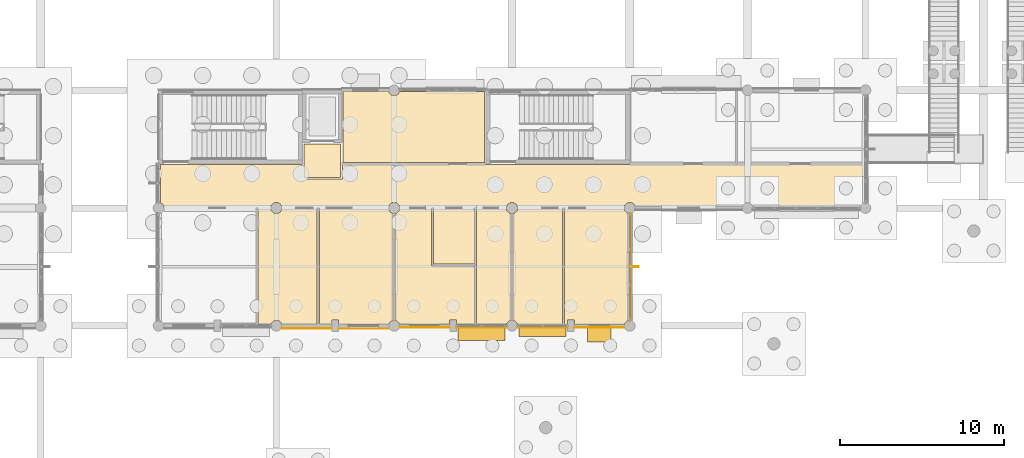
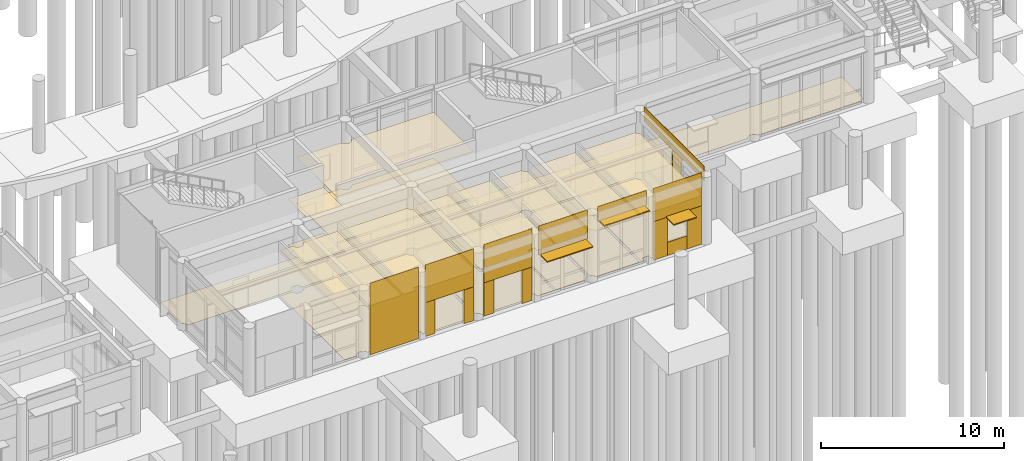
# One storey, part 84 of 103: 33 coverings, 4 shading devices.
"""IFC4 building model written with IfcOpenShell, lengths in metres."""

from ifc_helpers import new_model, si_unit, direction, frame, origin, origin_2d, place, context, subcontext, project, spatial, polyline, rectangle, outline, extrude, material, layer, layer_set, type_object, element, save


model = new_model("IFC4")

# Units and contexts
model_context = context("Model", 3, precision=1e-05, world=origin(), true_north=direction((0.0, 1.0)))
body_context = subcontext(model_context, "Body", "Model", "MODEL_VIEW")
ifc_project = project(units=[si_unit("LENGTHUNIT", "METRE"), si_unit("AREAUNIT", "SQUARE_METRE"), si_unit("VOLUMEUNIT", "CUBIC_METRE"), si_unit("PLANEANGLEUNIT", "RADIAN"), si_unit("MASSUNIT", "GRAM", prefix="KILO")], contexts=[model_context])

# Site, building, storey
site_placement = place(None, origin())
site = spatial("IfcSite", under=ifc_project, at=site_placement, CompositionType="ELEMENT")
building_placement = place(site_placement, origin())
building = spatial("IfcBuilding", under=site, at=building_placement, Name="Namkhue Oval Health Centre", CompositionType="ELEMENT")
storey_placement = place(building_placement, origin())
storey = spatial("IfcBuildingStorey", under=building, at=storey_placement, Name="L00", CompositionType="ELEMENT", Elevation=0.0)

# Coverings
ifc_material_1 = material(Name="Acoustic mineral-fibre cleanroom ceiling", Category="gypsum")
ifc_layer_1 = layer(ifc_material_1, 0.02001953125)
ifc_layer_set_1 = layer_set([ifc_layer_1], Name="Acoustic mineral-fibre cleanroom ceiling")
covering_type_1 = type_object("IfcCoveringType", Name="ACOUSTIC CLEANROOM CEILING 20", PredefinedType="CEILING", material=ifc_layer_set_1)
covering_1_placement = place(storey_placement, frame((0.0, 0.0, 3.050048828125)))
element("IfcCovering", 1, at=covering_1_placement, inside=storey, type_object=covering_type_1, Name="Acoustic Ceiling L00-LL6 Lift Lobby LF-06", PredefinedType="CEILING", context=body_context, shape_type="SweptSolid", body=[
    extrude(outline(polyline([(102.47998046875, 23.47998046875), (102.47998046875, 25.52001953125), (104.719970703125, 25.52001953125), (104.719970703125, 23.47998046875), (102.47998046875, 23.47998046875)])), origin(), (0.0, 0.0, 1.0), 0.02001953125),
])
covering_2_placement = place(storey_placement, frame((0.0, 0.0, 3.050048828125)))
element("IfcCovering", 2, at=covering_2_placement, inside=storey, type_object=covering_type_1, Name="Acoustic Ceiling L00-502 Dental Sterilisation CSSD", PredefinedType="CEILING", context=body_context, shape_type="SweptSolid", body=[
    extrude(outline(polyline([(101.123779296875, 14.485107421875), (101.090087890625, 14.5673828125), (101.036865234375, 14.636962890625), (100.967529296875, 14.690185546875), (100.88671875, 14.7236328125), (100.800048828125, 14.735107421875), (100.71337890625, 14.7236328125), (100.632568359375, 14.690185546875), (100.56298828125, 14.636962890625), (100.510009765625, 14.5673828125), (100.476318359375, 14.485107421875), (99.68701171875, 14.485107421875), (99.68701171875, 21.52001953125), (100.4755859375, 21.52001953125), (100.510009765625, 21.4326171875), (100.56298828125, 21.363037109375), (100.632568359375, 21.309814453125), (100.71337890625, 21.2763671875), (100.800048828125, 21.264892578125), (100.88671875, 21.2763671875), (100.967529296875, 21.309814453125), (101.036865234375, 21.363037109375), (101.090087890625, 21.4326171875), (101.12451171875, 21.52001953125), (103.284912109375, 21.52001953125), (103.284912109375, 14.485107421875), (101.123779296875, 14.485107421875)])), origin(), (0.0, 0.0, 1.0), 0.02001953125),
])
covering_3_placement = place(storey_placement, frame((0.0, 0.0, 3.050048828125)))
element("IfcCovering", 3, at=covering_3_placement, inside=storey, type_object=covering_type_1, Name="Acoustic Ceiling L00-503 Shielded OPG Dental X Ray", PredefinedType="CEILING", context=body_context, shape_type="SweptSolid", body=[
    extrude(outline(polyline([(104.610107421875, 14.485107421875), (104.610107421875, 14.760009765625), (104.18994140625, 14.760009765625), (104.18994140625, 14.485107421875), (103.425048828125, 14.485107421875), (103.425048828125, 21.52001953125), (107.675537109375, 21.52001953125), (107.7099609375, 21.4326171875), (107.76318359375, 21.363037109375), (107.83251953125, 21.309814453125), (107.913330078125, 21.2763671875), (107.929931640625, 21.274169921875), (107.929931640625, 14.725830078125), (107.913330078125, 14.7236328125), (107.83251953125, 14.690185546875), (107.76318359375, 14.636962890625), (107.7099609375, 14.5673828125), (107.67626953125, 14.485107421875), (104.610107421875, 14.485107421875)])), origin(), (0.0, 0.0, 1.0), 0.02001953125),
])
covering_4_placement = place(storey_placement, frame((0.0, 0.0, 3.050048828125)))
element("IfcCovering", 4, at=covering_4_placement, inside=storey, type_object=covering_type_1, Name="Acoustic Ceiling L00-504 Dental Instrument Clean Utility", PredefinedType="CEILING", context=body_context, shape_type="SweptSolid", body=[
    extrude(outline(polyline([(110.280029296875, 21.52001953125), (110.280029296875, 18.06005859375), (112.89990234375, 18.06005859375), (112.89990234375, 14.485107421875), (111.81005859375, 14.485107421875), (111.81005859375, 14.760009765625), (111.389892578125, 14.760009765625), (111.389892578125, 14.485107421875), (108.32373046875, 14.485107421875), (108.2900390625, 14.5673828125), (108.23681640625, 14.636962890625), (108.16748046875, 14.690185546875), (108.086669921875, 14.7236328125), (108.070068359375, 14.725830078125), (108.070068359375, 21.274169921875), (108.086669921875, 21.2763671875), (108.16748046875, 21.309814453125), (108.23681640625, 21.363037109375), (108.2900390625, 21.4326171875), (108.324462890625, 21.52001953125), (110.280029296875, 21.52001953125)])), origin(), (0.0, 0.0, 1.0), 0.02001953125),
])
covering_5_placement = place(storey_placement, frame((0.0, 0.0, 3.050048828125)))
element("IfcCovering", 5, at=covering_5_placement, inside=storey, type_object=covering_type_1, Name="Acoustic Ceiling L00-505 Accessible WC", PredefinedType="CEILING", context=body_context, shape_type="SweptSolid", body=[
    extrude(outline(polyline([(110.39990234375, 18.179931640625), (110.39990234375, 21.52001953125), (112.89990234375, 21.52001953125), (112.89990234375, 18.179931640625), (110.39990234375, 18.179931640625)])), origin(), (0.0, 0.0, 1.0), 0.02001953125),
])
covering_6_placement = place(storey_placement, frame((0.0, 0.0, 3.050048828125)))
element("IfcCovering", 6, at=covering_6_placement, inside=storey, type_object=covering_type_1, Name="Acoustic Ceiling L00-506 Patient Washroom", PredefinedType="CEILING", context=body_context, shape_type="SweptSolid", body=[
    extrude(outline(polyline([(113.02001953125, 14.485107421875), (113.02001953125, 21.52001953125), (114.87548828125, 21.52001953125), (114.909912109375, 21.4326171875), (114.963134765625, 21.363037109375), (115.032470703125, 21.309814453125), (115.11328125, 21.2763671875), (115.1298828125, 21.274169921875), (115.1298828125, 14.725830078125), (115.11328125, 14.7236328125), (115.032470703125, 14.690185546875), (114.963134765625, 14.636962890625), (114.909912109375, 14.5673828125), (114.876220703125, 14.485107421875), (113.02001953125, 14.485107421875)])), origin(), (0.0, 0.0, 1.0), 0.02001953125),
])
covering_7_placement = place(storey_placement, frame((0.0, 0.0, 3.050048828125)))
element("IfcCovering", 7, at=covering_7_placement, inside=storey, type_object=covering_type_1, Name="Acoustic Ceiling L00-507 Paediatric Dental Room", PredefinedType="CEILING", context=body_context, shape_type="SweptSolid", body=[
    extrude(outline(polyline([(115.523681640625, 14.485107421875), (115.489990234375, 14.5673828125), (115.43701171875, 14.636962890625), (115.367431640625, 14.690185546875), (115.28662109375, 14.7236328125), (115.27001953125, 14.725830078125), (115.27001953125, 21.274169921875), (115.28662109375, 21.2763671875), (115.367431640625, 21.309814453125), (115.43701171875, 21.363037109375), (115.489990234375, 21.4326171875), (115.5244140625, 21.52001953125), (118.280029296875, 21.52001953125), (118.280029296875, 14.485107421875), (115.523681640625, 14.485107421875)])), origin(), (0.0, 0.0, 1.0), 0.02001953125),
])
covering_8_placement = place(storey_placement, frame((0.0, 0.0, 3.050048828125)))
element("IfcCovering", 8, at=covering_8_placement, inside=storey, type_object=covering_type_1, Name="Acoustic Ceiling L00-508 Dental Operatory Suite", PredefinedType="CEILING", context=body_context, shape_type="SweptSolid", body=[
    extrude(outline(polyline([(119.010009765625, 14.485107421875), (119.010009765625, 14.760009765625), (118.590087890625, 14.760009765625), (118.590087890625, 14.485107421875), (118.419921875, 14.485107421875), (118.419921875, 21.52001953125), (122.075439453125, 21.52001953125), (122.10986328125, 21.4326171875), (122.1630859375, 21.363037109375), (122.232421875, 21.309814453125), (122.2451171875, 21.3046875), (122.2451171875, 14.6953125), (122.232421875, 14.690185546875), (122.1630859375, 14.636962890625), (122.10986328125, 14.5673828125), (122.076171875, 14.485107421875), (119.010009765625, 14.485107421875)])), origin(), (0.0, 0.0, 1.0), 0.02001953125),
])
covering_9_placement = place(storey_placement, frame((0.0, 0.0, 3.050048828125)))
element("IfcCovering", 9, at=covering_9_placement, inside=storey, type_object=covering_type_1, Name="Acoustic Ceiling L00-509 Endodontics Microscope Suite", PredefinedType="CEILING", context=body_context, shape_type="SweptSolid", body=[
    extrude(outline(polyline([(104.8798828125, 24.3798828125), (104.8798828125, 28.715087890625), (107.67626953125, 28.715087890625), (107.7099609375, 28.632568359375), (107.76318359375, 28.56298828125), (107.83251953125, 28.510009765625), (107.913330078125, 28.476318359375), (108.0, 28.465087890625), (108.086669921875, 28.476318359375), (108.16748046875, 28.510009765625), (108.23681640625, 28.56298828125), (108.2900390625, 28.632568359375), (108.32373046875, 28.715087890625), (113.52001953125, 28.715087890625), (113.52001953125, 24.3798828125), (104.8798828125, 24.3798828125)])), origin(), (0.0, 0.0, 1.0), 0.02001953125),
])
ifc_material_2 = material(Name="Homogeneous anti-bacterial clinical vinyl flooring", Category="plastic")
ifc_layer_2 = layer(ifc_material_2, 0.014892578125)
ifc_layer_set_2 = layer_set([ifc_layer_2], Name="Homogeneous anti-bacterial clinical vinyl flooring")
covering_type_2 = type_object("IfcCoveringType", Name="CLINICAL ANTIBACTERIAL VINYL FLOORING 15", PredefinedType="FLOORING", material=ifc_layer_set_2)
covering_10_placement = place(storey_placement, origin())
element("IfcCovering", 10, at=covering_10_placement, inside=storey, type_object=covering_type_2, Name="Clinical Flooring L00-LL6 Lift Lobby LF-06", PredefinedType="FLOORING", context=body_context, shape_type="SweptSolid", body=[
    extrude(outline(polyline([(102.47998046875, 23.47998046875), (102.47998046875, 25.52001953125), (104.719970703125, 25.52001953125), (104.719970703125, 23.47998046875), (102.47998046875, 23.47998046875)])), origin(), (0.0, 0.0, 1.0), 0.014892578125),
])
covering_11_placement = place(storey_placement, origin())
element("IfcCovering", 11, at=covering_11_placement, inside=storey, type_object=covering_type_2, Name="Clinical Flooring L00-V5-C1 V5 Clinical Corridor", PredefinedType="FLOORING", context=body_context, shape_type="SweptSolid", body=[
    extrude(outline(polyline([(115.52978515625, 21.639892578125), (115.523681640625, 21.686767578125), (115.489990234375, 21.767578125), (115.43701171875, 21.8369140625), (115.367431640625, 21.89013671875), (115.28662109375, 21.923583984375), (115.199951171875, 21.93505859375), (115.11328125, 21.923583984375), (115.032470703125, 21.89013671875), (114.963134765625, 21.8369140625), (114.909912109375, 21.767578125), (114.87646484375, 21.686767578125), (114.870361328125, 21.639892578125), (108.32958984375, 21.639892578125), (108.323486328125, 21.686767578125), (108.2900390625, 21.767578125), (108.23681640625, 21.8369140625), (108.16748046875, 21.89013671875), (108.086669921875, 21.923583984375), (108.0, 21.93505859375), (107.913330078125, 21.923583984375), (107.83251953125, 21.89013671875), (107.76318359375, 21.8369140625), (107.7099609375, 21.767578125), (107.676513671875, 21.686767578125), (107.67041015625, 21.639892578125), (101.129638671875, 21.639892578125), (101.12353515625, 21.686767578125), (101.090087890625, 21.767578125), (101.036865234375, 21.8369140625), (100.967529296875, 21.89013671875), (100.88671875, 21.923583984375), (100.800048828125, 21.93505859375), (100.71337890625, 21.923583984375), (100.632568359375, 21.89013671875), (100.56298828125, 21.8369140625), (100.510009765625, 21.767578125), (100.476318359375, 21.686767578125), (100.47021484375, 21.639892578125), (93.9296875, 21.639892578125), (93.923583984375, 21.686767578125), (93.89013671875, 21.767578125), (93.8369140625, 21.8369140625), (93.767578125, 21.89013671875), (93.72509765625, 21.90771484375), (93.72509765625, 24.260009765625), (102.360107421875, 24.260009765625), (102.360107421875, 23.39990234375), (102.363037109375, 23.384765625), (102.37158203125, 23.37158203125), (102.384765625, 23.363037109375), (102.39990234375, 23.360107421875), (104.800048828125, 23.360107421875), (104.815185546875, 23.363037109375), (104.833251953125, 23.377685546875), (104.840087890625, 23.39990234375), (104.840087890625, 24.260009765625), (136.675048828125, 24.260009765625), (136.675048828125, 21.90771484375), (136.632568359375, 21.89013671875), (136.56298828125, 21.8369140625), (136.510009765625, 21.767578125), (136.4921875, 21.72509765625), (129.90771484375, 21.72509765625), (129.89013671875, 21.767578125), (129.8369140625, 21.8369140625), (129.767578125, 21.89013671875), (129.686767578125, 21.923583984375), (129.60009765625, 21.93505859375), (129.51318359375, 21.923583984375), (129.4326171875, 21.89013671875), (129.363037109375, 21.8369140625), (129.309814453125, 21.767578125), (129.292236328125, 21.72509765625), (122.707763671875, 21.72509765625), (122.690185546875, 21.767578125), (122.636962890625, 21.8369140625), (122.5673828125, 21.89013671875), (122.48681640625, 21.923583984375), (122.39990234375, 21.93505859375), (122.313232421875, 21.923583984375), (122.232421875, 21.89013671875), (122.1630859375, 21.8369140625), (122.10986328125, 21.767578125), (122.076416015625, 21.686767578125), (122.0703125, 21.639892578125), (115.52978515625, 21.639892578125)])), origin(), (0.0, 0.0, 1.0), 0.014892578125),
])
covering_12_placement = place(storey_placement, origin())
element("IfcCovering", 12, at=covering_12_placement, inside=storey, type_object=covering_type_2, Name="Clinical Flooring L00-502 Dental Sterilisation CSSD", PredefinedType="FLOORING", context=body_context, shape_type="SweptSolid", body=[
    extrude(outline(polyline([(101.123779296875, 14.485107421875), (101.090087890625, 14.5673828125), (101.036865234375, 14.636962890625), (100.967529296875, 14.690185546875), (100.88671875, 14.7236328125), (100.800048828125, 14.735107421875), (100.71337890625, 14.7236328125), (100.632568359375, 14.690185546875), (100.56298828125, 14.636962890625), (100.510009765625, 14.5673828125), (100.476318359375, 14.485107421875), (99.68701171875, 14.485107421875), (99.68701171875, 21.52001953125), (100.4755859375, 21.52001953125), (100.510009765625, 21.4326171875), (100.56298828125, 21.363037109375), (100.632568359375, 21.309814453125), (100.71337890625, 21.2763671875), (100.800048828125, 21.264892578125), (100.88671875, 21.2763671875), (100.967529296875, 21.309814453125), (101.036865234375, 21.363037109375), (101.090087890625, 21.4326171875), (101.12451171875, 21.52001953125), (103.284912109375, 21.52001953125), (103.284912109375, 14.485107421875), (101.123779296875, 14.485107421875)])), origin(), (0.0, 0.0, 1.0), 0.014892578125),
])
covering_13_placement = place(storey_placement, origin())
element("IfcCovering", 13, at=covering_13_placement, inside=storey, type_object=covering_type_2, Name="Clinical Flooring L00-503 Shielded OPG Dental X Ray", PredefinedType="FLOORING", context=body_context, shape_type="SweptSolid", body=[
    extrude(outline(polyline([(104.610107421875, 14.485107421875), (104.610107421875, 14.760009765625), (104.18994140625, 14.760009765625), (104.18994140625, 14.485107421875), (103.425048828125, 14.485107421875), (103.425048828125, 21.52001953125), (107.675537109375, 21.52001953125), (107.7099609375, 21.4326171875), (107.76318359375, 21.363037109375), (107.83251953125, 21.309814453125), (107.913330078125, 21.2763671875), (107.929931640625, 21.274169921875), (107.929931640625, 14.725830078125), (107.913330078125, 14.7236328125), (107.83251953125, 14.690185546875), (107.76318359375, 14.636962890625), (107.7099609375, 14.5673828125), (107.67626953125, 14.485107421875), (104.610107421875, 14.485107421875)])), origin(), (0.0, 0.0, 1.0), 0.014892578125),
])
covering_14_placement = place(storey_placement, origin())
element("IfcCovering", 14, at=covering_14_placement, inside=storey, type_object=covering_type_2, Name="Clinical Flooring L00-504 Dental Instrument Clean Utility", PredefinedType="FLOORING", context=body_context, shape_type="SweptSolid", body=[
    extrude(outline(polyline([(110.280029296875, 21.52001953125), (110.280029296875, 18.06005859375), (112.89990234375, 18.06005859375), (112.89990234375, 14.485107421875), (111.81005859375, 14.485107421875), (111.81005859375, 14.760009765625), (111.389892578125, 14.760009765625), (111.389892578125, 14.485107421875), (108.32373046875, 14.485107421875), (108.2900390625, 14.5673828125), (108.23681640625, 14.636962890625), (108.16748046875, 14.690185546875), (108.086669921875, 14.7236328125), (108.070068359375, 14.725830078125), (108.070068359375, 21.274169921875), (108.086669921875, 21.2763671875), (108.16748046875, 21.309814453125), (108.23681640625, 21.363037109375), (108.2900390625, 21.4326171875), (108.324462890625, 21.52001953125), (110.280029296875, 21.52001953125)])), origin(), (0.0, 0.0, 1.0), 0.014892578125),
])
covering_15_placement = place(storey_placement, origin())
element("IfcCovering", 15, at=covering_15_placement, inside=storey, type_object=covering_type_2, Name="Clinical Flooring L00-505 Accessible WC", PredefinedType="FLOORING", context=body_context, shape_type="SweptSolid", body=[
    extrude(outline(polyline([(110.39990234375, 18.179931640625), (110.39990234375, 21.52001953125), (112.89990234375, 21.52001953125), (112.89990234375, 18.179931640625), (110.39990234375, 18.179931640625)])), origin(), (0.0, 0.0, 1.0), 0.014892578125),
])
covering_16_placement = place(storey_placement, origin())
element("IfcCovering", 16, at=covering_16_placement, inside=storey, type_object=covering_type_2, Name="Clinical Flooring L00-506 Patient Washroom", PredefinedType="FLOORING", context=body_context, shape_type="SweptSolid", body=[
    extrude(outline(polyline([(113.02001953125, 14.485107421875), (113.02001953125, 21.52001953125), (114.87548828125, 21.52001953125), (114.909912109375, 21.4326171875), (114.963134765625, 21.363037109375), (115.032470703125, 21.309814453125), (115.11328125, 21.2763671875), (115.1298828125, 21.274169921875), (115.1298828125, 14.725830078125), (115.11328125, 14.7236328125), (115.032470703125, 14.690185546875), (114.963134765625, 14.636962890625), (114.909912109375, 14.5673828125), (114.876220703125, 14.485107421875), (113.02001953125, 14.485107421875)])), origin(), (0.0, 0.0, 1.0), 0.014892578125),
])
covering_17_placement = place(storey_placement, origin())
element("IfcCovering", 17, at=covering_17_placement, inside=storey, type_object=covering_type_2, Name="Clinical Flooring L00-507 Paediatric Dental Room", PredefinedType="FLOORING", context=body_context, shape_type="SweptSolid", body=[
    extrude(outline(polyline([(115.523681640625, 14.485107421875), (115.489990234375, 14.5673828125), (115.43701171875, 14.636962890625), (115.367431640625, 14.690185546875), (115.28662109375, 14.7236328125), (115.27001953125, 14.725830078125), (115.27001953125, 21.274169921875), (115.28662109375, 21.2763671875), (115.367431640625, 21.309814453125), (115.43701171875, 21.363037109375), (115.489990234375, 21.4326171875), (115.5244140625, 21.52001953125), (118.280029296875, 21.52001953125), (118.280029296875, 14.485107421875), (115.523681640625, 14.485107421875)])), origin(), (0.0, 0.0, 1.0), 0.014892578125),
])
covering_18_placement = place(storey_placement, origin())
element("IfcCovering", 18, at=covering_18_placement, inside=storey, type_object=covering_type_2, Name="Clinical Flooring L00-508 Dental Operatory Suite", PredefinedType="FLOORING", context=body_context, shape_type="SweptSolid", body=[
    extrude(outline(polyline([(119.010009765625, 14.485107421875), (119.010009765625, 14.760009765625), (118.590087890625, 14.760009765625), (118.590087890625, 14.485107421875), (118.419921875, 14.485107421875), (118.419921875, 21.52001953125), (122.075439453125, 21.52001953125), (122.10986328125, 21.4326171875), (122.1630859375, 21.363037109375), (122.232421875, 21.309814453125), (122.2451171875, 21.3046875), (122.2451171875, 14.6953125), (122.232421875, 14.690185546875), (122.1630859375, 14.636962890625), (122.10986328125, 14.5673828125), (122.076171875, 14.485107421875), (119.010009765625, 14.485107421875)])), origin(), (0.0, 0.0, 1.0), 0.014892578125),
])
covering_19_placement = place(storey_placement, origin())
element("IfcCovering", 19, at=covering_19_placement, inside=storey, type_object=covering_type_2, Name="Clinical Flooring L00-509 Endodontics Microscope Suite", PredefinedType="FLOORING", context=body_context, shape_type="SweptSolid", body=[
    extrude(outline(polyline([(104.8798828125, 24.3798828125), (104.8798828125, 28.715087890625), (107.67626953125, 28.715087890625), (107.7099609375, 28.632568359375), (107.76318359375, 28.56298828125), (107.83251953125, 28.510009765625), (107.913330078125, 28.476318359375), (108.0, 28.465087890625), (108.086669921875, 28.476318359375), (108.16748046875, 28.510009765625), (108.23681640625, 28.56298828125), (108.2900390625, 28.632568359375), (108.32373046875, 28.715087890625), (113.52001953125, 28.715087890625), (113.52001953125, 24.3798828125), (104.8798828125, 24.3798828125)])), origin(), (0.0, 0.0, 1.0), 0.014892578125),
])

# Shading devices
ifc_material_3 = material(Name="Anodised aluminium EN AW-6063 T6", Category="aluminium")
ifc_layer_3 = layer(ifc_material_3, 0.06005859375)
ifc_layer_set_3 = layer_set([ifc_layer_3], Name="Anodised aluminium EN AW-6063 T6")
shading_device_type_1 = type_object("IfcShadingDeviceType", Name="MONSOON SUN LOUVRE 900", PredefinedType="JALOUSIE", material=ifc_layer_set_3)
shading_device_1_placement = place(storey_placement, frame((113.337890625, 13.949951171875, 2.830078125), z_axis=(0.0, 0.0, 1.0), x_axis=(1.0, 0.0, 0.0)))
element("IfcShadingDevice", 20, at=shading_device_1_placement, inside=storey, type_object=shading_device_type_1, Name="Volume V5 L00 Horizontal Monsoon Sun Louvre 238", PredefinedType="JALOUSIE", context=body_context, shape_type="SweptSolid", body=[
    extrude(rectangle(XDim=2.884033203125, YDim=0.89990234375, at=origin_2d()), origin(), (0.0, 0.0, 1.0), 0.06005859375),
])
shading_device_2_placement = place(storey_placement, frame((120.5380859375, 13.864990234375, 2.580078125), z_axis=(0.0, 0.0, 1.0), x_axis=(1.0, 0.0, 0.0)))
element("IfcShadingDevice", 21, at=shading_device_2_placement, inside=storey, type_object=shading_device_type_1, Name="Volume V5 L00 Window Monsoon Louvre 240", PredefinedType="JALOUSIE", context=body_context, shape_type="SweptSolid", body=[
    extrude(rectangle(XDim=1.43994140625, YDim=0.89990234375, at=origin_2d()), origin(), (0.0, 0.0, 1.0), 0.06005859375),
])
ifc_layer_4 = layer(ifc_material_3, 0.050048828125)
ifc_layer_set_4 = layer_set([ifc_layer_4], Name="Anodised aluminium EN AW-6063 T6")
shading_device_type_2 = type_object("IfcShadingDeviceType", Name="STORM SHUTTER LOUVRE 650", PredefinedType="SHUTTER", material=ifc_layer_set_4)
shading_device_3_placement = place(storey_placement, frame((117.06201171875, 14.074951171875, 3.77490234375), z_axis=(0.0, 0.0, 1.0), x_axis=(1.0, 0.0, 0.0)))
element("IfcShadingDevice", 22, at=shading_device_3_placement, inside=storey, type_object=shading_device_type_2, Name="Volume V5 L00 Horizontal Monsoon Sun Louvre 239", PredefinedType="SHUTTER", context=body_context, shape_type="SweptSolid", body=[
    extrude(rectangle(XDim=2.884033203125, YDim=0.64990234375, at=origin_2d()), origin(), (0.0, 0.0, 1.0), 0.06005859375),
])
shading_device_type_3 = type_object("IfcShadingDeviceType", Name="VERTICAL SOLAR FIN 600", PredefinedType="USERDEFINED", material=ifc_material_3)
shading_device_4_placement = place(storey_placement, frame((122.659912109375, 18.0, 0.0), z_axis=(0.0, 0.0, 1.0), x_axis=(1.0, 0.0, 0.0)))
element("IfcShadingDevice", 23, at=shading_device_4_placement, inside=storey, type_object=shading_device_type_3, Name="Volume V5 L00 Extruded Aluminium Solar Fin 241", ObjectType="SOLAR FIN", PredefinedType="USERDEFINED", context=body_context, shape_type="SweptSolid", body=[
    extrude(rectangle(XDim=0.60009765625, YDim=0.06005859375, at=origin_2d()), origin(), (0.0, 0.0, 1.0), 3.844970703125),
])

# Coverings
ifc_material_4 = material(Name="White glass-fibre reinforced concrete GRC rainscreen cladding", Category="concrete")
ifc_layer_5 = layer(ifc_material_4, 0.02490234375)
ifc_layer_set_5 = layer_set([ifc_layer_5], Name="White glass-fibre reinforced concrete GRC rainscreen cladding")
covering_type_3 = type_object("IfcCoveringType", Name="WHITE GRC RAINSCREEN CLADDING 25", PredefinedType="CLADDING", material=ifc_layer_set_5)
covering_20_placement = place(storey_placement, frame((102.662109375, 14.22802734375, 0.009765625), z_axis=(0.0, 0.0, 1.0), x_axis=(1.0, 0.0, 0.0)))
element("IfcCovering", 24, at=covering_20_placement, inside=storey, type_object=covering_type_3, Name="Volume V5 L00 Facade 111 White GRC Cladding 1", PredefinedType="CLADDING", context=body_context, shape_type="SweptSolid", body=[
    extrude(rectangle(XDim=3.0439453125, YDim=0.02490234375, at=origin_2d()), origin(), (0.0, 0.0, 1.0), 4.780029296875),
])
covering_21_placement = place(storey_placement, frame((106.137939453125, 14.222900390625, 2.26513671875), z_axis=(0.0, 0.0, 1.0), x_axis=(1.0, 0.0, 0.0)))
element("IfcCovering", 25, at=covering_21_placement, inside=storey, type_object=covering_type_3, Name="Volume V5 L00 Facade 112 White GRC Cladding 1", PredefinedType="CLADDING", context=body_context, shape_type="SweptSolid", body=[
    extrude(rectangle(XDim=3.0439453125, YDim=0.02490234375, at=origin_2d()), origin(), (0.0, 0.0, 1.0), 2.52490234375),
])
for number, where, z_axis, x_axis, name in (
    (26, (104.91943359375, 14.222900390625, 0.010009765625), (0.0, 0.0, 1.0), (1.0, 0.0, 0.0), "Volume V5 L00 Facade 112 White GRC Cladding 2"),
    (27, (107.3564453125, 14.222900390625, 0.010009765625), (0.0, 0.0, 1.0), (1.0, 0.0, 0.0), "Volume V5 L00 Facade 112 White GRC Cladding 3"),
):
    element("IfcCovering", number, at=place(storey_placement, frame(where, z_axis=z_axis, x_axis=x_axis)), inside=storey, type_object=covering_type_3, Name=name, PredefinedType="CLADDING", context=body_context, shape_type="SweptSolid", body=[
        extrude(rectangle(XDim=0.60693359375, YDim=0.02490234375, at=origin_2d()), origin(), (0.0, 0.0, 1.0), 2.25),
    ])
covering_22_placement = place(storey_placement, frame((109.862060546875, 14.298095703125, 2.23486328125), z_axis=(0.0, 0.0, 1.0), x_axis=(1.0, 0.0, 0.0)))
element("IfcCovering", 28, at=covering_22_placement, inside=storey, type_object=covering_type_3, Name="Volume V5 L00 Facade 113 White GRC Cladding 1", PredefinedType="CLADDING", context=body_context, shape_type="SweptSolid", body=[
    extrude(rectangle(XDim=3.0439453125, YDim=0.02490234375, at=origin_2d()), origin(), (0.0, 0.0, 1.0), 2.554931640625),
])
for number, where, z_axis, x_axis, name in (
    (29, (108.656005859375, 14.298095703125, 0.01025390625), (0.0, 0.0, 1.0), (1.0, 0.0, 0.0), "Volume V5 L00 Facade 113 White GRC Cladding 2"),
    (30, (111.068115234375, 14.298095703125, 0.01025390625), (0.0, 0.0, 1.0), (1.0, 0.0, 0.0), "Volume V5 L00 Facade 113 White GRC Cladding 3"),
):
    element("IfcCovering", number, at=place(storey_placement, frame(where, z_axis=z_axis, x_axis=x_axis)), inside=storey, type_object=covering_type_3, Name=name, PredefinedType="CLADDING", context=body_context, shape_type="SweptSolid", body=[
        extrude(rectangle(XDim=0.632080078125, YDim=0.02490234375, at=origin_2d()), origin(), (0.0, 0.0, 1.0), 2.219970703125),
    ])
covering_23_placement = place(storey_placement, frame((113.337890625, 14.3115234375, 2.885009765625), z_axis=(0.0, 0.0, 1.0), x_axis=(1.0, 0.0, 0.0)))
element("IfcCovering", 31, at=covering_23_placement, inside=storey, type_object=covering_type_3, Name="Volume V5 L00 Curtain Wall Spandrel Cladding 178", PredefinedType="CLADDING", context=body_context, shape_type="SweptSolid", body=[
    extrude(rectangle(XDim=3.073974609375, YDim=0.02490234375, at=origin_2d()), origin(), (0.0, 0.0, 1.0), 1.9150390625),
])
covering_24_placement = place(storey_placement, frame((117.06201171875, 14.3115234375, 3.830078125), z_axis=(0.0, 0.0, 1.0), x_axis=(1.0, 0.0, 0.0)))
element("IfcCovering", 32, at=covering_24_placement, inside=storey, type_object=covering_type_3, Name="Volume V5 L00 Curtain Wall Spandrel Cladding 179", PredefinedType="CLADDING", context=body_context, shape_type="SweptSolid", body=[
    extrude(rectangle(XDim=3.073974609375, YDim=0.02490234375, at=origin_2d()), origin(), (0.0, 0.0, 1.0), 0.969970703125),
])
covering_25_placement = place(storey_placement, frame((120.5380859375, 14.29296875, 2.5751953125), z_axis=(0.0, 0.0, 1.0), x_axis=(1.0, 0.0, 0.0)))
element("IfcCovering", 33, at=covering_25_placement, inside=storey, type_object=covering_type_3, Name="Volume V5 L00 Facade 114 White GRC Cladding 1", PredefinedType="CLADDING", context=body_context, shape_type="SweptSolid", body=[
    extrude(rectangle(XDim=3.0439453125, YDim=0.02490234375, at=origin_2d()), origin(), (0.0, 0.0, 1.0), 2.215087890625),
])
covering_26_placement = place(storey_placement, frame((119.469482421875, 14.29296875, 0.010009765625), z_axis=(0.0, 0.0, 1.0), x_axis=(1.0, 0.0, 0.0)))
element("IfcCovering", 34, at=covering_26_placement, inside=storey, type_object=covering_type_3, Name="Volume V5 L00 Facade 114 White GRC Cladding 2", PredefinedType="CLADDING", context=body_context, shape_type="SweptSolid", body=[
    extrude(rectangle(XDim=0.906982421875, YDim=0.02490234375, at=origin_2d()), origin(), (0.0, 0.0, 1.0), 2.56005859375),
])
covering_27_placement = place(storey_placement, frame((120.5380859375, 14.29296875, 0.010009765625), z_axis=(0.0, 0.0, 1.0), x_axis=(1.0, 0.0, 0.0)))
element("IfcCovering", 35, at=covering_27_placement, inside=storey, type_object=covering_type_3, Name="Volume V5 L00 Facade 114 White GRC Cladding 3", PredefinedType="CLADDING", context=body_context, shape_type="SweptSolid", body=[
    extrude(rectangle(XDim=1.219970703125, YDim=0.02490234375, at=origin_2d()), origin(), (0.0, 0.0, 1.0), 0.875),
])
covering_28_placement = place(storey_placement, frame((121.6064453125, 14.29296875, 0.010009765625), z_axis=(0.0, 0.0, 1.0), x_axis=(1.0, 0.0, 0.0)))
element("IfcCovering", 36, at=covering_28_placement, inside=storey, type_object=covering_type_3, Name="Volume V5 L00 Facade 114 White GRC Cladding 4", PredefinedType="CLADDING", context=body_context, shape_type="SweptSolid", body=[
    extrude(rectangle(XDim=0.906982421875, YDim=0.02490234375, at=origin_2d()), origin(), (0.0, 0.0, 1.0), 2.56005859375),
])
covering_29_placement = place(storey_placement, frame((122.488525390625, 18.0, 3.830078125), z_axis=(0.0, 0.0, 1.0), x_axis=(0.0, 1.0, 0.0)))
element("IfcCovering", 37, at=covering_29_placement, inside=storey, type_object=covering_type_3, Name="Volume V5 L00 Curtain Wall Spandrel Cladding 180", PredefinedType="CLADDING", context=body_context, shape_type="SweptSolid", body=[
    extrude(rectangle(XDim=6.550048828125, YDim=0.02490234375, at=origin_2d()), origin(), (0.0, 0.0, 1.0), 0.969970703125),
])

save(model, "model.ifc")
